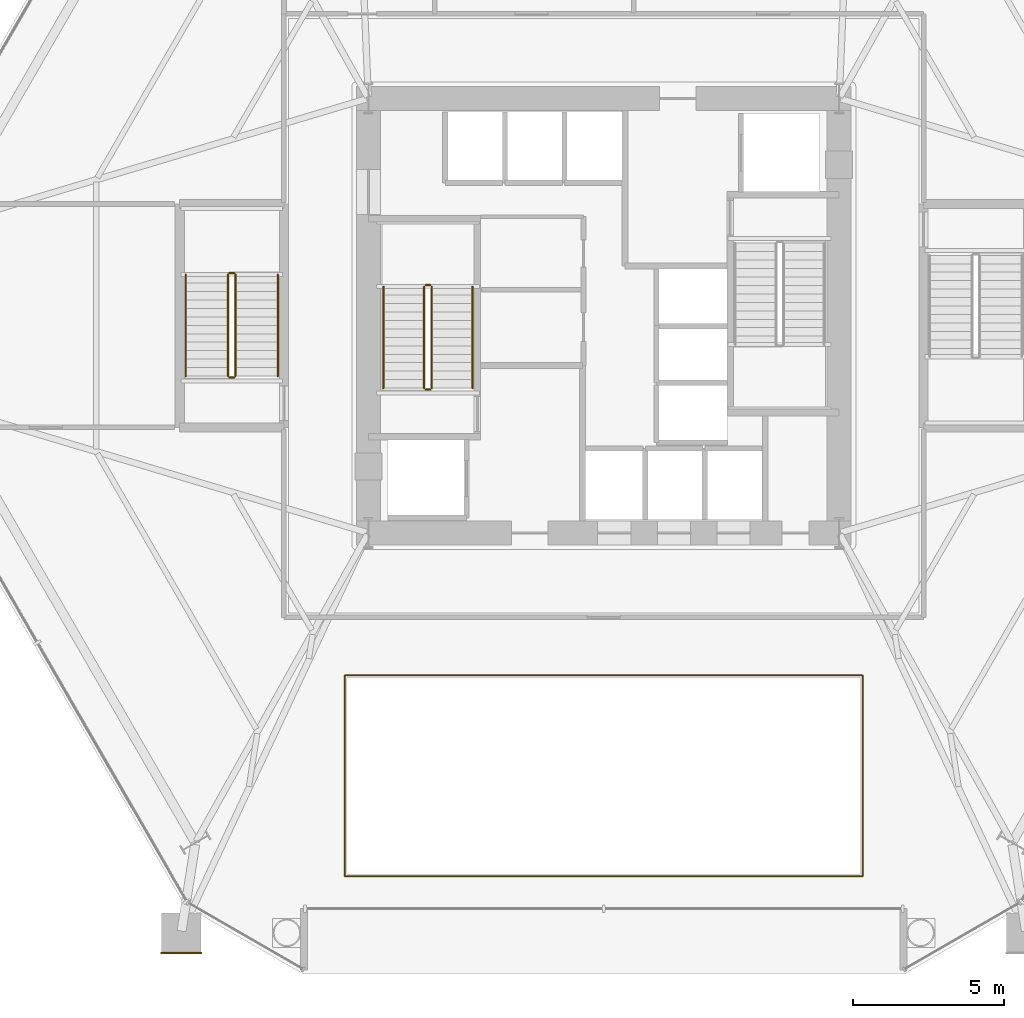
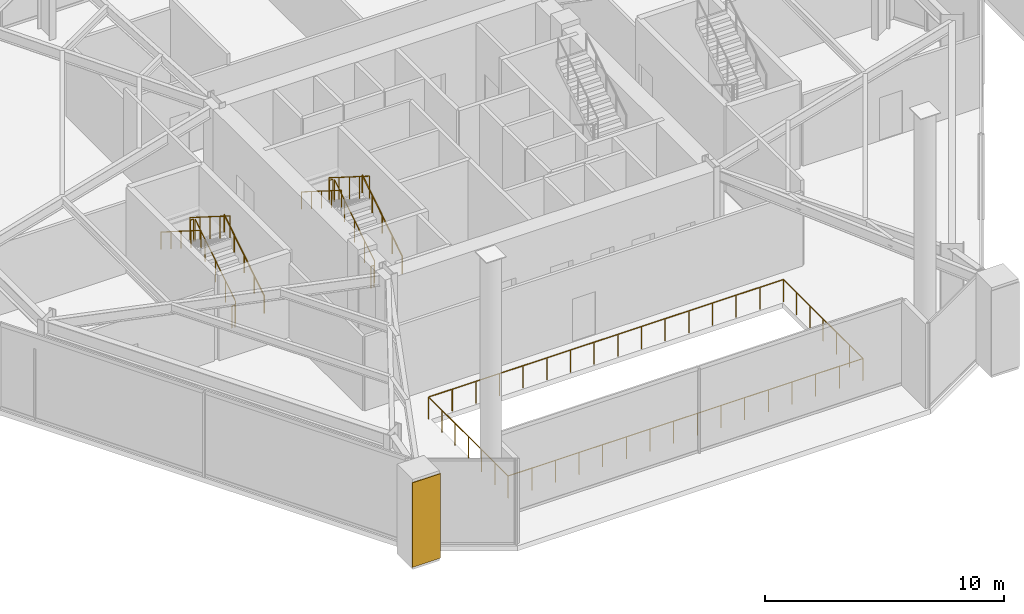
# One storey, part 19 of 22: 13 railings, 1 covering.
"""IFC4 building model written with IfcOpenShell, lengths in metres."""

from ifc_helpers import new_model, si_unit, direction, frame, origin, origin_2d, place, context, subcontext, project, spatial, rectangle, circle, extrude, material, layer, layer_set, type_object, element, save


model = new_model("IFC4")

# Units and contexts
model_context = context("Model", 3, precision=1e-05, world=origin(), true_north=direction((0.0, 1.0)))
body_context = subcontext(model_context, "Body", "Model", "MODEL_VIEW")
ifc_project = project(units=[si_unit("LENGTHUNIT", "METRE"), si_unit("AREAUNIT", "SQUARE_METRE"), si_unit("VOLUMEUNIT", "CUBIC_METRE"), si_unit("PLANEANGLEUNIT", "RADIAN"), si_unit("MASSUNIT", "GRAM", prefix="KILO")], contexts=[model_context])

# Site, building, storey
site_placement = place(None, origin())
site = spatial("IfcSite", under=ifc_project, at=site_placement, CompositionType="ELEMENT")
building_placement = place(site_placement, origin())
building = spatial("IfcBuilding", under=site, at=building_placement, Name="Kranzbogen Civic Tower", CompositionType="ELEMENT")
storey_placement = place(building_placement, frame((0.0, 0.0, 5.199951171875)))
storey = spatial("IfcBuildingStorey", under=building, at=storey_placement, Name="L01", CompositionType="ELEMENT", Elevation=5.199951171875)

# Railings
ifc_material_1 = material(Name="Steel S355", Category="steel")
railing_type_1 = type_object("IfcRailingType", Name="Internal Stair and Void Steel Guardrail 1150", PredefinedType="GUARDRAIL", material=ifc_material_1)
railing_1_placement = place(storey_placement, frame((19.300048828125, 22.60009765625, 0.177001953125)))
element("IfcRailing", 1, at=railing_1_placement, inside=storey, type_object=railing_type_1, Name="L01 ST-T1 stair guard 1", PredefinedType="GUARDRAIL", context=body_context, shape_type="SweptSolid", body=[
    extrude(circle(Radius=0.02392578125, at=origin_2d()), frame((0.0, 0.0, 1.1259765625), z_axis=(0.0, 0.845372108799, 0.534177870812), x_axis=(-1.0, 0.0, 0.0)), (0.0, 0.0, 1.0), 3.974365234375),
    extrude(circle(Radius=0.02099609375, at=origin_2d()), origin(), (0.0, 0.0, 1.0), 1.101806640625),
    extrude(circle(Radius=0.02099609375, at=origin_2d()), frame((0.0, 0.83984375, 0.53076171875)), (0.0, 0.0, 1.0), 1.101806640625),
    extrude(circle(Radius=0.02099609375, at=origin_2d()), frame((0.0, 1.679931640625, 1.0615234375)), (0.0, 0.0, 1.0), 1.101806640625),
    extrude(circle(Radius=0.02099609375, at=origin_2d()), frame((0.0, 2.52001953125, 1.59228515625)), (0.0, 0.0, 1.0), 1.101806640625),
    extrude(circle(Radius=0.02099609375, at=origin_2d()), frame((0.0, 3.35986328125, 2.123046875)), (0.0, 0.0, 1.0), 1.101806640625),
])
railing_2_placement = place(storey_placement, frame((19.25, 26.010009765625, 2.300048828125)))
element("IfcRailing", 2, at=railing_2_placement, inside=storey, type_object=railing_type_1, Name="L01 ST-T1 stair guard 2", PredefinedType="GUARDRAIL", context=body_context, shape_type="SweptSolid", body=[
    extrude(circle(Radius=0.02392578125, at=origin_2d()), frame((0.0, 0.0, 1.1259765625), z_axis=(-1.0, 0.0, 0.0), x_axis=(0.0, -1.0, 0.0)), (0.0, 0.0, 1.0), 0.14990234375),
    extrude(circle(Radius=0.02099609375, at=origin_2d()), origin(), (0.0, 0.0, 1.0), 1.101806640625),
    extrude(circle(Radius=0.02099609375, at=origin_2d()), frame((-0.14990234375, 0.0, 0.0)), (0.0, 0.0, 1.0), 1.101806640625),
])
railing_3_placement = place(storey_placement, frame((19.050048828125, 25.9599609375, 2.47705078125)))
element("IfcRailing", 3, at=railing_3_placement, inside=storey, type_object=railing_type_1, Name="L01 ST-T1 stair guard 3", PredefinedType="GUARDRAIL", context=body_context, shape_type="SweptSolid", body=[
    extrude(circle(Radius=0.02392578125, at=origin_2d()), frame((0.0, 0.0, 1.1259765625), z_axis=(0.0, -0.845372108799, 0.534177870812), x_axis=(1.0, 0.0, 0.0)), (0.0, 0.0, 1.0), 3.974365234375),
    extrude(circle(Radius=0.02099609375, at=origin_2d()), origin(), (0.0, 0.0, 1.0), 1.101806640625),
    extrude(circle(Radius=0.02099609375, at=origin_2d()), frame((0.0, -0.83984375, 0.53076171875)), (0.0, 0.0, 1.0), 1.101806640625),
    extrude(circle(Radius=0.02099609375, at=origin_2d()), frame((0.0, -1.679931640625, 1.0615234375)), (0.0, 0.0, 1.0), 1.101806640625),
    extrude(circle(Radius=0.02099609375, at=origin_2d()), frame((0.0, -2.52001953125, 1.59228515625)), (0.0, 0.0, 1.0), 1.101806640625),
    extrude(circle(Radius=0.02099609375, at=origin_2d()), frame((0.0, -3.35986328125, 2.123046875)), (0.0, 0.0, 1.0), 1.101806640625),
])
railing_4_placement = place(storey_placement, frame((19.25, 22.550048828125, 0.0)))
element("IfcRailing", 4, at=railing_4_placement, inside=storey, type_object=railing_type_1, Name="L01 ST-T1 stair guard 4", PredefinedType="GUARDRAIL", context=body_context, shape_type="SweptSolid", body=[
    extrude(circle(Radius=0.02392578125, at=origin_2d()), frame((0.0, 0.0, 1.1259765625), z_axis=(-1.0, 0.0, 0.0), x_axis=(0.0, -1.0, 0.0)), (0.0, 0.0, 1.0), 0.14990234375),
    extrude(circle(Radius=0.02099609375, at=origin_2d()), origin(), (0.0, 0.0, 1.0), 1.101806640625),
    extrude(circle(Radius=0.02099609375, at=origin_2d()), frame((-0.14990234375, 0.0, 0.0)), (0.0, 0.0, 1.0), 1.101806640625),
])
railing_5_placement = place(storey_placement, frame((12.800048828125, 23.0, 0.177001953125)))
element("IfcRailing", 5, at=railing_5_placement, inside=storey, type_object=railing_type_1, Name="L01 ST-P1 stair guard 1", PredefinedType="GUARDRAIL", context=body_context, shape_type="SweptSolid", body=[
    extrude(circle(Radius=0.02392578125, at=origin_2d()), frame((0.0, 0.0, 1.1259765625), z_axis=(0.0, 0.845389635667, 0.534150132366), x_axis=(-1.0, 0.0, 0.0)), (0.0, 0.0, 1.0), 3.974609375),
    extrude(circle(Radius=0.02099609375, at=origin_2d()), origin(), (0.0, 0.0, 1.0), 1.101806640625),
    extrude(circle(Radius=0.02099609375, at=origin_2d()), frame((0.0, 0.840087890625, 0.53076171875)), (0.0, 0.0, 1.0), 1.101806640625),
    extrude(circle(Radius=0.02099609375, at=origin_2d()), frame((0.0, 1.68017578125, 1.0615234375)), (0.0, 0.0, 1.0), 1.101806640625),
    extrude(circle(Radius=0.02099609375, at=origin_2d()), frame((0.0, 2.52001953125, 1.59228515625)), (0.0, 0.0, 1.0), 1.101806640625),
    extrude(circle(Radius=0.02099609375, at=origin_2d()), frame((0.0, 3.360107421875, 2.123046875)), (0.0, 0.0, 1.0), 1.101806640625),
])
railing_6_placement = place(storey_placement, frame((12.75, 26.409912109375, 2.300048828125)))
element("IfcRailing", 6, at=railing_6_placement, inside=storey, type_object=railing_type_1, Name="L01 ST-P1 stair guard 2", PredefinedType="GUARDRAIL", context=body_context, shape_type="SweptSolid", body=[
    extrude(circle(Radius=0.02392578125, at=origin_2d()), frame((0.0, 0.0, 1.1259765625), z_axis=(-1.0, 0.0, 0.0), x_axis=(0.0, -1.0, 0.0)), (0.0, 0.0, 1.0), 0.14990234375),
    extrude(circle(Radius=0.02099609375, at=origin_2d()), origin(), (0.0, 0.0, 1.0), 1.101806640625),
    extrude(circle(Radius=0.02099609375, at=origin_2d()), frame((-0.14990234375, 0.0, 0.0)), (0.0, 0.0, 1.0), 1.101806640625),
])
railing_7_placement = place(storey_placement, frame((12.550048828125, 26.360107421875, 2.47705078125)))
element("IfcRailing", 7, at=railing_7_placement, inside=storey, type_object=railing_type_1, Name="L01 ST-P1 stair guard 3", PredefinedType="GUARDRAIL", context=body_context, shape_type="SweptSolid", body=[
    extrude(circle(Radius=0.02392578125, at=origin_2d()), frame((0.0, 0.0, 1.1259765625), z_axis=(0.0, -0.845389635667, 0.534150132366), x_axis=(1.0, 0.0, 0.0)), (0.0, 0.0, 1.0), 3.974609375),
    extrude(circle(Radius=0.02099609375, at=origin_2d()), origin(), (0.0, 0.0, 1.0), 1.101806640625),
    extrude(circle(Radius=0.02099609375, at=origin_2d()), frame((0.0, -0.840087890625, 0.53076171875)), (0.0, 0.0, 1.0), 1.101806640625),
    extrude(circle(Radius=0.02099609375, at=origin_2d()), frame((0.0, -1.68017578125, 1.0615234375)), (0.0, 0.0, 1.0), 1.101806640625),
    extrude(circle(Radius=0.02099609375, at=origin_2d()), frame((0.0, -2.52001953125, 1.59228515625)), (0.0, 0.0, 1.0), 1.101806640625),
    extrude(circle(Radius=0.02099609375, at=origin_2d()), frame((0.0, -3.360107421875, 2.123046875)), (0.0, 0.0, 1.0), 1.101806640625),
])
railing_8_placement = place(storey_placement, frame((12.75, 22.949951171875, 0.0)))
element("IfcRailing", 8, at=railing_8_placement, inside=storey, type_object=railing_type_1, Name="L01 ST-P1 stair guard 4", PredefinedType="GUARDRAIL", context=body_context, shape_type="SweptSolid", body=[
    extrude(circle(Radius=0.02392578125, at=origin_2d()), frame((0.0, 0.0, 1.1259765625), z_axis=(-1.0, 0.0, 0.0), x_axis=(0.0, -1.0, 0.0)), (0.0, 0.0, 1.0), 0.14990234375),
    extrude(circle(Radius=0.02099609375, at=origin_2d()), origin(), (0.0, 0.0, 1.0), 1.101806640625),
    extrude(circle(Radius=0.02099609375, at=origin_2d()), frame((-0.14990234375, 0.0, 0.0)), (0.0, 0.0, 1.0), 1.101806640625),
])
railing_9_placement = place(storey_placement, frame((16.419921875, 6.419921875, 0.0)))
element("IfcRailing", 9, at=railing_9_placement, inside=storey, type_object=railing_type_1, Name="L01 double-height civic hall overlook guardrail", PredefinedType="GUARDRAIL", context=body_context, shape_type="SweptSolid", body=[
    extrude(circle(Radius=0.02392578125, at=origin_2d()), frame((0.0, 0.0, 1.1259765625), z_axis=(1.0, 0.0, 0.0), x_axis=(0.0, 1.0, 0.0)), (0.0, 0.0, 1.0), 17.16015625),
    extrude(circle(Radius=0.02392578125, at=origin_2d()), frame((17.16015625, 0.0, 1.1259765625), z_axis=(0.0, 1.0, 0.0), x_axis=(-1.0, 0.0, 0.0)), (0.0, 0.0, 1.0), 6.66015625),
    extrude(circle(Radius=0.02392578125, at=origin_2d()), frame((17.16015625, 6.66015625, 1.1259765625), z_axis=(-1.0, 0.0, 0.0), x_axis=(0.0, -1.0, 0.0)), (0.0, 0.0, 1.0), 17.16015625),
    extrude(circle(Radius=0.02392578125, at=origin_2d()), frame((0.0, 6.66015625, 1.1259765625), z_axis=(0.0, -1.0, 0.0), x_axis=(1.0, 0.0, 0.0)), (0.0, 0.0, 1.0), 6.66015625),
    extrude(circle(Radius=0.02099609375, at=origin_2d()), origin(), (0.0, 0.0, 1.0), 1.101806640625),
    extrude(circle(Radius=0.02099609375, at=origin_2d()), frame((1.14404296875, 0.0, 0.0)), (0.0, 0.0, 1.0), 1.101806640625),
    extrude(circle(Radius=0.02099609375, at=origin_2d()), frame((2.2880859375, 0.0, 0.0)), (0.0, 0.0, 1.0), 1.101806640625),
    extrude(circle(Radius=0.02099609375, at=origin_2d()), frame((3.43212890625, 0.0, 0.0)), (0.0, 0.0, 1.0), 1.101806640625),
    extrude(circle(Radius=0.02099609375, at=origin_2d()), frame((4.575927734375, 0.0, 0.0)), (0.0, 0.0, 1.0), 1.101806640625),
    extrude(circle(Radius=0.02099609375, at=origin_2d()), frame((5.719970703125, 0.0, 0.0)), (0.0, 0.0, 1.0), 1.101806640625),
    extrude(circle(Radius=0.02099609375, at=origin_2d()), frame((6.864013671875, 0.0, 0.0)), (0.0, 0.0, 1.0), 1.101806640625),
    extrude(circle(Radius=0.02099609375, at=origin_2d()), frame((8.008056640625, 0.0, 0.0)), (0.0, 0.0, 1.0), 1.101806640625),
    extrude(circle(Radius=0.02099609375, at=origin_2d()), frame((9.152099609375, 0.0, 0.0)), (0.0, 0.0, 1.0), 1.101806640625),
    extrude(circle(Radius=0.02099609375, at=origin_2d()), frame((10.296142578125, 0.0, 0.0)), (0.0, 0.0, 1.0), 1.101806640625),
    extrude(circle(Radius=0.02099609375, at=origin_2d()), frame((11.440185546875, 0.0, 0.0)), (0.0, 0.0, 1.0), 1.101806640625),
    extrude(circle(Radius=0.02099609375, at=origin_2d()), frame((12.584228515625, 0.0, 0.0)), (0.0, 0.0, 1.0), 1.101806640625),
    extrude(circle(Radius=0.02099609375, at=origin_2d()), frame((13.72802734375, 0.0, 0.0)), (0.0, 0.0, 1.0), 1.101806640625),
    extrude(circle(Radius=0.02099609375, at=origin_2d()), frame((14.8720703125, 0.0, 0.0)), (0.0, 0.0, 1.0), 1.101806640625),
    extrude(circle(Radius=0.02099609375, at=origin_2d()), frame((16.01611328125, 0.0, 0.0)), (0.0, 0.0, 1.0), 1.101806640625),
    extrude(circle(Radius=0.02099609375, at=origin_2d()), frame((17.16015625, 0.0, 0.0)), (0.0, 0.0, 1.0), 1.101806640625),
    extrude(circle(Radius=0.02099609375, at=origin_2d()), frame((17.16015625, 1.110107421875, 0.0)), (0.0, 0.0, 1.0), 1.101806640625),
    extrude(circle(Radius=0.02099609375, at=origin_2d()), frame((17.16015625, 2.219970703125, 0.0)), (0.0, 0.0, 1.0), 1.101806640625),
    extrude(circle(Radius=0.02099609375, at=origin_2d()), frame((17.16015625, 3.330078125, 0.0)), (0.0, 0.0, 1.0), 1.101806640625),
    extrude(circle(Radius=0.02099609375, at=origin_2d()), frame((17.16015625, 4.440185546875, 0.0)), (0.0, 0.0, 1.0), 1.101806640625),
    extrude(circle(Radius=0.02099609375, at=origin_2d()), frame((17.16015625, 5.550048828125, 0.0)), (0.0, 0.0, 1.0), 1.101806640625),
    extrude(circle(Radius=0.02099609375, at=origin_2d()), frame((17.16015625, 6.66015625, 0.0)), (0.0, 0.0, 1.0), 1.101806640625),
    extrude(circle(Radius=0.02099609375, at=origin_2d()), frame((16.01611328125, 6.66015625, 0.0)), (0.0, 0.0, 1.0), 1.101806640625),
    extrude(circle(Radius=0.02099609375, at=origin_2d()), frame((14.8720703125, 6.66015625, 0.0)), (0.0, 0.0, 1.0), 1.101806640625),
    extrude(circle(Radius=0.02099609375, at=origin_2d()), frame((13.72802734375, 6.66015625, 0.0)), (0.0, 0.0, 1.0), 1.101806640625),
    extrude(circle(Radius=0.02099609375, at=origin_2d()), frame((12.584228515625, 6.66015625, 0.0)), (0.0, 0.0, 1.0), 1.101806640625),
    extrude(circle(Radius=0.02099609375, at=origin_2d()), frame((11.440185546875, 6.66015625, 0.0)), (0.0, 0.0, 1.0), 1.101806640625),
    extrude(circle(Radius=0.02099609375, at=origin_2d()), frame((10.296142578125, 6.66015625, 0.0)), (0.0, 0.0, 1.0), 1.101806640625),
    extrude(circle(Radius=0.02099609375, at=origin_2d()), frame((9.152099609375, 6.66015625, 0.0)), (0.0, 0.0, 1.0), 1.101806640625),
    extrude(circle(Radius=0.02099609375, at=origin_2d()), frame((8.008056640625, 6.66015625, 0.0)), (0.0, 0.0, 1.0), 1.101806640625),
    extrude(circle(Radius=0.02099609375, at=origin_2d()), frame((6.864013671875, 6.66015625, 0.0)), (0.0, 0.0, 1.0), 1.101806640625),
    extrude(circle(Radius=0.02099609375, at=origin_2d()), frame((5.719970703125, 6.66015625, 0.0)), (0.0, 0.0, 1.0), 1.101806640625),
    extrude(circle(Radius=0.02099609375, at=origin_2d()), frame((4.575927734375, 6.66015625, 0.0)), (0.0, 0.0, 1.0), 1.101806640625),
    extrude(circle(Radius=0.02099609375, at=origin_2d()), frame((3.43212890625, 6.66015625, 0.0)), (0.0, 0.0, 1.0), 1.101806640625),
    extrude(circle(Radius=0.02099609375, at=origin_2d()), frame((2.2880859375, 6.66015625, 0.0)), (0.0, 0.0, 1.0), 1.101806640625),
    extrude(circle(Radius=0.02099609375, at=origin_2d()), frame((1.14404296875, 6.66015625, 0.0)), (0.0, 0.0, 1.0), 1.101806640625),
    extrude(circle(Radius=0.02099609375, at=origin_2d()), frame((0.0, 6.66015625, 0.0)), (0.0, 0.0, 1.0), 1.101806640625),
    extrude(circle(Radius=0.02099609375, at=origin_2d()), frame((0.0, 5.550048828125, 0.0)), (0.0, 0.0, 1.0), 1.101806640625),
    extrude(circle(Radius=0.02099609375, at=origin_2d()), frame((0.0, 4.440185546875, 0.0)), (0.0, 0.0, 1.0), 1.101806640625),
    extrude(circle(Radius=0.02099609375, at=origin_2d()), frame((0.0, 3.330078125, 0.0)), (0.0, 0.0, 1.0), 1.101806640625),
    extrude(circle(Radius=0.02099609375, at=origin_2d()), frame((0.0, 2.219970703125, 0.0)), (0.0, 0.0, 1.0), 1.101806640625),
    extrude(circle(Radius=0.02099609375, at=origin_2d()), frame((0.0, 1.110107421875, 0.0)), (0.0, 0.0, 1.0), 1.101806640625),
])

# Covering
ifc_material_2 = material(Name="Anodised Bronze Aluminium", Category="aluminium")
ifc_layer = layer(ifc_material_2, 0.034912109375, Name="Anodised Bronze Aluminium")
ifc_layer_set = layer_set([ifc_layer], Name="Anodised Bronze Aluminium")
covering_type = type_object("IfcCoveringType", Name="Portal Arch Pier Anodised Metal Cladding 35 mm", PredefinedType="CLADDING", material=ifc_layer_set)
covering_placement = place(storey_placement, frame((11.0, 3.882080078125, 0.14013671875), z_axis=(0.0, 0.0, 1.0), x_axis=(1.0, 0.0, 0.0)))
element("IfcCovering", 10, at=covering_placement, inside=storey, type_object=covering_type, Name="L01 portal arch pier 1 cladding", PredefinedType="CLADDING", context=body_context, shape_type="SweptSolid", body=[
    extrude(rectangle(XDim=1.3701171875, YDim=0.034912109375, at=origin_2d()), origin(), (0.0, 0.0, 1.0), 4.320068359375),
])

# Railings
ifc_material_3 = material(Name="Pale Anodised Aluminium", Category="aluminium")
railing_type_2 = type_object("IfcRailingType", Name="Tubular Stainless Stair Wall Handrail 900", PredefinedType="HANDRAIL", material=ifc_material_3)
railing_10_placement = place(storey_placement, frame((20.64990234375, 22.60009765625, 0.177001953125)))
element("IfcRailing", 11, at=railing_10_placement, inside=storey, type_object=railing_type_2, Name="L01 ST-T1 stair handrail 1", PredefinedType="HANDRAIL", context=body_context, shape_type="SweptSolid", body=[
    extrude(circle(Radius=0.02392578125, at=origin_2d()), frame((0.0, 0.0, 0.8759765625), z_axis=(0.0, 0.845372108799, 0.534177870812), x_axis=(-1.0, 0.0, 0.0)), (0.0, 0.0, 1.0), 3.974365234375),
    extrude(circle(Radius=0.02099609375, at=origin_2d()), origin(), (0.0, 0.0, 1.0), 0.851806640625),
    extrude(circle(Radius=0.02099609375, at=origin_2d()), frame((0.0, 0.83984375, 0.53076171875)), (0.0, 0.0, 1.0), 0.851806640625),
    extrude(circle(Radius=0.02099609375, at=origin_2d()), frame((0.0, 1.679931640625, 1.0615234375)), (0.0, 0.0, 1.0), 0.851806640625),
    extrude(circle(Radius=0.02099609375, at=origin_2d()), frame((0.0, 2.52001953125, 1.59228515625)), (0.0, 0.0, 1.0), 0.851806640625),
    extrude(circle(Radius=0.02099609375, at=origin_2d()), frame((0.0, 3.35986328125, 2.123046875)), (0.0, 0.0, 1.0), 0.851806640625),
])
railing_11_placement = place(storey_placement, frame((17.699951171875, 25.9599609375, 2.47705078125)))
element("IfcRailing", 12, at=railing_11_placement, inside=storey, type_object=railing_type_2, Name="L01 ST-T1 stair handrail 2", PredefinedType="HANDRAIL", context=body_context, shape_type="SweptSolid", body=[
    extrude(circle(Radius=0.02392578125, at=origin_2d()), frame((0.0, 0.0, 0.8759765625), z_axis=(0.0, -0.845372108799, 0.534177870812), x_axis=(1.0, 0.0, 0.0)), (0.0, 0.0, 1.0), 3.974365234375),
    extrude(circle(Radius=0.02099609375, at=origin_2d()), origin(), (0.0, 0.0, 1.0), 0.851806640625),
    extrude(circle(Radius=0.02099609375, at=origin_2d()), frame((0.0, -0.83984375, 0.53076171875)), (0.0, 0.0, 1.0), 0.851806640625),
    extrude(circle(Radius=0.02099609375, at=origin_2d()), frame((0.0, -1.679931640625, 1.0615234375)), (0.0, 0.0, 1.0), 0.851806640625),
    extrude(circle(Radius=0.02099609375, at=origin_2d()), frame((0.0, -2.52001953125, 1.59228515625)), (0.0, 0.0, 1.0), 0.851806640625),
    extrude(circle(Radius=0.02099609375, at=origin_2d()), frame((0.0, -3.35986328125, 2.123046875)), (0.0, 0.0, 1.0), 0.851806640625),
])
railing_12_placement = place(storey_placement, frame((14.199951171875, 23.0, 0.177001953125)))
element("IfcRailing", 13, at=railing_12_placement, inside=storey, type_object=railing_type_2, Name="L01 ST-P1 stair handrail 1", PredefinedType="HANDRAIL", context=body_context, shape_type="SweptSolid", body=[
    extrude(circle(Radius=0.02392578125, at=origin_2d()), frame((0.0, 0.0, 0.8759765625), z_axis=(0.0, 0.845389635667, 0.534150132366), x_axis=(-1.0, 0.0, 0.0)), (0.0, 0.0, 1.0), 3.974609375),
    extrude(circle(Radius=0.02099609375, at=origin_2d()), origin(), (0.0, 0.0, 1.0), 0.851806640625),
    extrude(circle(Radius=0.02099609375, at=origin_2d()), frame((0.0, 0.840087890625, 0.53076171875)), (0.0, 0.0, 1.0), 0.851806640625),
    extrude(circle(Radius=0.02099609375, at=origin_2d()), frame((0.0, 1.68017578125, 1.0615234375)), (0.0, 0.0, 1.0), 0.851806640625),
    extrude(circle(Radius=0.02099609375, at=origin_2d()), frame((0.0, 2.52001953125, 1.59228515625)), (0.0, 0.0, 1.0), 0.851806640625),
    extrude(circle(Radius=0.02099609375, at=origin_2d()), frame((0.0, 3.360107421875, 2.123046875)), (0.0, 0.0, 1.0), 0.851806640625),
])
railing_13_placement = place(storey_placement, frame((11.14990234375, 26.360107421875, 2.47705078125)))
element("IfcRailing", 14, at=railing_13_placement, inside=storey, type_object=railing_type_2, Name="L01 ST-P1 stair handrail 2", PredefinedType="HANDRAIL", context=body_context, shape_type="SweptSolid", body=[
    extrude(circle(Radius=0.02392578125, at=origin_2d()), frame((0.0, 0.0, 0.8759765625), z_axis=(0.0, -0.845389635667, 0.534150132366), x_axis=(1.0, 0.0, 0.0)), (0.0, 0.0, 1.0), 3.974609375),
    extrude(circle(Radius=0.02099609375, at=origin_2d()), origin(), (0.0, 0.0, 1.0), 0.851806640625),
    extrude(circle(Radius=0.02099609375, at=origin_2d()), frame((0.0, -0.840087890625, 0.53076171875)), (0.0, 0.0, 1.0), 0.851806640625),
    extrude(circle(Radius=0.02099609375, at=origin_2d()), frame((0.0, -1.68017578125, 1.0615234375)), (0.0, 0.0, 1.0), 0.851806640625),
    extrude(circle(Radius=0.02099609375, at=origin_2d()), frame((0.0, -2.52001953125, 1.59228515625)), (0.0, 0.0, 1.0), 0.851806640625),
    extrude(circle(Radius=0.02099609375, at=origin_2d()), frame((0.0, -3.360107421875, 2.123046875)), (0.0, 0.0, 1.0), 0.851806640625),
])

save(model, "model.ifc")
